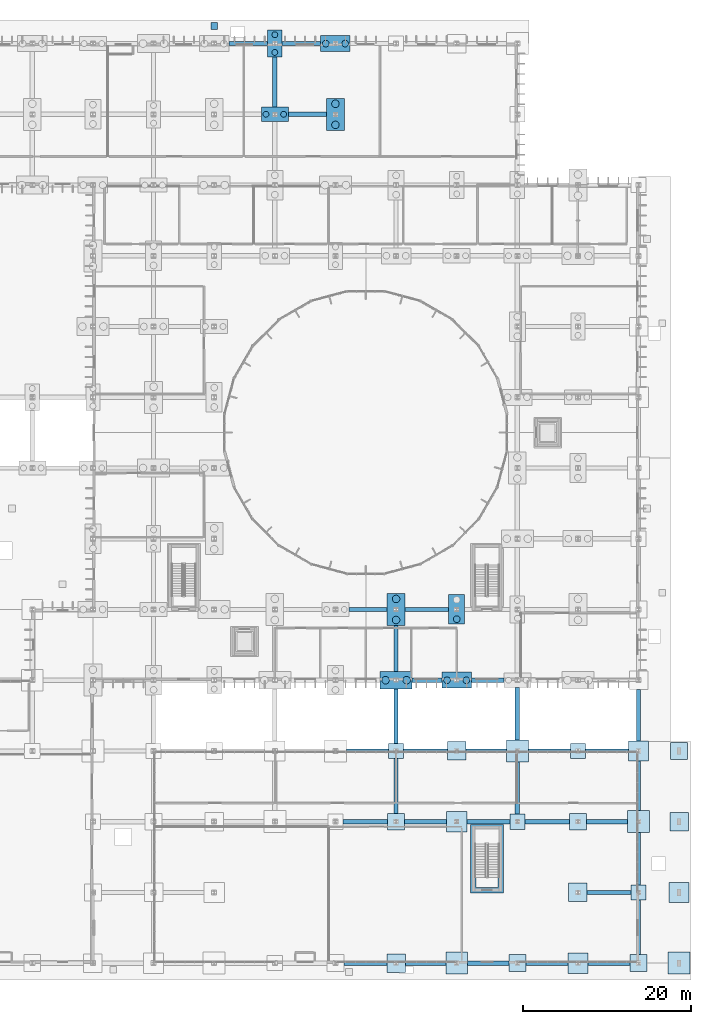
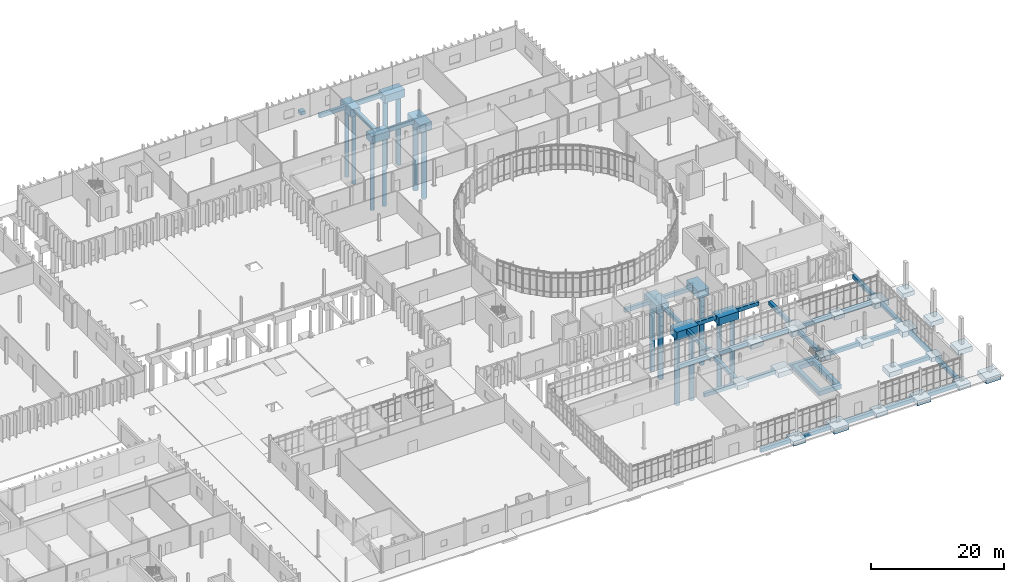
# One storey, part 5 of 118: 64 footings, 15 piles.
"""IFC4 building model written with IfcOpenShell, lengths in metres."""

from ifc_helpers import new_model, si_unit, direction, frame, origin, origin_2d, place, context, subcontext, project, spatial, polyline, rectangle, circle, outline, extrude, material, layer, layer_set, material_profile, profile_set, type_object, element, save


model = new_model("IFC4")

# Units and contexts
model_context = context("Model", 3, precision=1e-05, world=origin(), true_north=direction((0.0, 1.0)))
body_context = subcontext(model_context, "Body", "Model", "MODEL_VIEW")
ifc_project = project(units=[si_unit("LENGTHUNIT", "METRE"), si_unit("AREAUNIT", "SQUARE_METRE"), si_unit("VOLUMEUNIT", "CUBIC_METRE"), si_unit("PLANEANGLEUNIT", "RADIAN"), si_unit("MASSUNIT", "GRAM", prefix="KILO")], contexts=[model_context])

# Site, building, storey
site_placement = place(None, origin())
site = spatial("IfcSite", under=ifc_project, at=site_placement, CompositionType="ELEMENT")
building_placement = place(site_placement, origin())
building = spatial("IfcBuilding", under=site, at=building_placement, Name="Qelthora Terrace Specialist Clinic", CompositionType="ELEMENT")
storey_placement = place(building_placement, origin())
storey = spatial("IfcBuildingStorey", under=building, at=storey_placement, Name="L00", CompositionType="ELEMENT", Elevation=0.0)

# Footings
ifc_material = material(Name="Concrete C35/45", Category="concrete")
ifc_layer_1 = layer(ifc_material, 1.35009765625)
ifc_layer_set_1 = layer_set([ifc_layer_1], Name="Concrete C35/45")
footing_type_1 = type_object("IfcFootingType", Name="PC-1700X3200X1350", PredefinedType="PILE_CAP", material=ifc_layer_set_1)
footing_1_placement = place(storey_placement, frame((115.199951171875, 109.199951171875, -1.610107421875), z_axis=(0.0, 0.0, 1.0), x_axis=(1.0, 0.0, 0.0)))
element("IfcFooting", 1, at=footing_1_placement, inside=storey, type_object=footing_type_1, Name="Foundation FTG-L00-197", PredefinedType="PILE_CAP", context=body_context, shape_type="SweptSolid", body=[
    extrude(rectangle(XDim=1.699951171875, YDim=3.199951171875, at=origin_2d()), origin(), (0.0, 0.0, 1.0), 1.35009765625),
])
ifc_layer_2 = layer(ifc_material, 1.39990234375)
ifc_layer_set_2 = layer_set([ifc_layer_2], Name="Concrete C35/45")
footing_type_2 = type_object("IfcFootingType", Name="PC-1900X3500X1400", PredefinedType="PILE_CAP", material=ifc_layer_set_2)
footing_2_placement = place(storey_placement, frame((136.800048828125, 42.0, -1.659912109375), z_axis=(0.0, 0.0, 1.0), x_axis=(1.0, 0.0, 0.0)))
element("IfcFooting", 2, at=footing_2_placement, inside=storey, type_object=footing_type_2, Name="Foundation FTG-L00-219", PredefinedType="PILE_CAP", context=body_context, shape_type="SweptSolid", body=[
    extrude(rectangle(XDim=1.89990234375, YDim=3.5, at=origin_2d()), origin(), (0.0, 0.0, 1.0), 1.39990234375),
])
ifc_layer_3 = layer(ifc_material, 1.5)
ifc_layer_set_3 = layer_set([ifc_layer_3], Name="Concrete C35/45")
footing_type_3 = type_object("IfcFootingType", Name="PC-2100X3800X1500", PredefinedType="PILE_CAP", material=ifc_layer_set_3)
for number, where, z_axis, x_axis, name in (
    (3, (122.39990234375, 100.800048828125, -1.760009765625), (0.0, 0.0, 1.0), (1.0, 0.0, 0.0), "Foundation FTG-L00-205"),
    (4, (129.60009765625, 42.0, -1.760009765625), (0.0, 0.0, 1.0), (1.0, 0.0, 0.0), "Foundation FTG-L00-211"),
):
    element("IfcFooting", number, at=place(storey_placement, frame(where, z_axis=z_axis, x_axis=x_axis)), inside=storey, type_object=footing_type_3, Name=name, PredefinedType="PILE_CAP", context=body_context, shape_type="SweptSolid", body=[
        extrude(rectangle(XDim=2.10009765625, YDim=3.800048828125, at=origin_2d()), origin(), (0.0, 0.0, 1.0), 1.5),
    ])
ifc_layer_4 = layer(ifc_material, 1.35009765625)
ifc_layer_set_4 = layer_set([ifc_layer_4], Name="Concrete C35/45")
footing_type_4 = type_object("IfcFootingType", Name="PC-3200X1700X1350", PredefinedType="PILE_CAP", material=ifc_layer_set_4)
footing_3_placement = place(storey_placement, frame((115.199951171875, 100.800048828125, -1.610107421875), z_axis=(0.0, 0.0, 1.0), x_axis=(1.0, 0.0, 0.0)))
element("IfcFooting", 5, at=footing_3_placement, inside=storey, type_object=footing_type_4, Name="Foundation FTG-L00-196", PredefinedType="PILE_CAP", context=body_context, shape_type="SweptSolid", body=[
    extrude(rectangle(XDim=3.199951171875, YDim=1.699951171875, at=origin_2d()), origin(), (0.0, 0.0, 1.0), 1.35009765625),
])
ifc_layer_5 = layer(ifc_material, 1.39990234375)
ifc_layer_set_5 = layer_set([ifc_layer_5], Name="Concrete C35/45")
footing_type_5 = type_object("IfcFootingType", Name="PC-3500X1900X1400", PredefinedType="PILE_CAP", material=ifc_layer_set_5)
for number, where, z_axis, x_axis, name in (
    (6, (122.39990234375, 109.199951171875, -1.659912109375), (0.0, 0.0, 1.0), (1.0, 0.0, 0.0), "Foundation FTG-L00-206"),
    (7, (136.800048828125, 33.60009765625, -1.659912109375), (0.0, 0.0, 1.0), (1.0, 0.0, 0.0), "Foundation FTG-L00-218"),
):
    element("IfcFooting", number, at=place(storey_placement, frame(where, z_axis=z_axis, x_axis=x_axis)), inside=storey, type_object=footing_type_5, Name=name, PredefinedType="PILE_CAP", context=body_context, shape_type="SweptSolid", body=[
        extrude(rectangle(XDim=3.5, YDim=1.89990234375, at=origin_2d()), origin(), (0.0, 0.0, 1.0), 1.39990234375),
    ])
ifc_layer_6 = layer(ifc_material, 1.5)
ifc_layer_set_6 = layer_set([ifc_layer_6], Name="Concrete C35/45")
footing_type_6 = type_object("IfcFootingType", Name="PC-3800X2100X1500", PredefinedType="PILE_CAP", material=ifc_layer_set_6)
footing_4_placement = place(storey_placement, frame((129.60009765625, 33.60009765625, -1.760009765625), z_axis=(0.0, 0.0, 1.0), x_axis=(1.0, 0.0, 0.0)))
element("IfcFooting", 8, at=footing_4_placement, inside=storey, type_object=footing_type_6, Name="Foundation FTG-L00-210", PredefinedType="PILE_CAP", context=body_context, shape_type="SweptSolid", body=[
    extrude(rectangle(XDim=3.800048828125, YDim=2.10009765625, at=origin_2d()), origin(), (0.0, 0.0, 1.0), 1.5),
])
ifc_layer_7 = layer(ifc_material, 0.75)
ifc_layer_set_7 = layer_set([ifc_layer_7], Name="Concrete C35/45")
footing_type_7 = type_object("IfcFootingType", Name="PF-1800X1800X750", PredefinedType="PAD_FOOTING", material=ifc_layer_set_7)
for number, where, z_axis, x_axis, name in (
    (9, (129.60009765625, 25.199951171875, -1.010009765625), (0.0, 0.0, 1.0), (1.0, 0.0, 0.0), "Foundation FTG-L00-209"),
    (10, (144.0, 16.800048828125, -1.010009765625), (0.0, 0.0, 1.0), (1.0, 0.0, 0.0), "Foundation FTG-L00-224"),
    (11, (151.199951171875, 25.199951171875, -1.010009765625), (0.0, 0.0, 1.0), (1.0, 0.0, 0.0), "Foundation FTG-L00-239"),
    (12, (158.39990234375, 8.39990234375, -1.010009765625), (0.0, 0.0, 1.0), (1.0, 0.0, 0.0), "Foundation FTG-L00-249"),
):
    element("IfcFooting", number, at=place(storey_placement, frame(where, z_axis=z_axis, x_axis=x_axis)), inside=storey, type_object=footing_type_7, Name=name, PredefinedType="PAD_FOOTING", context=body_context, shape_type="SweptSolid", body=[
        extrude(rectangle(XDim=1.800048828125, YDim=1.800048828125, at=origin_2d()), origin(), (0.0, 0.0, 1.0), 0.75),
    ])
ifc_layer_8 = layer(ifc_material, 0.800048828125)
ifc_layer_set_8 = layer_set([ifc_layer_8], Name="Concrete C35/45")
footing_type_8 = type_object("IfcFootingType", Name="PF-2000X2000X800", PredefinedType="PAD_FOOTING", material=ifc_layer_set_8)
for number, where, z_axis, x_axis, name in (
    (13, (129.60009765625, 16.800048828125, -1.06005859375), (0.0, 0.0, 1.0), (1.0, 0.0, 0.0), "Foundation FTG-L00-208"),
    (14, (144.0, 0.0, -1.06005859375), (0.0, 0.0, 1.0), (1.0, 0.0, 0.0), "Foundation FTG-L00-223"),
    (15, (151.199951171875, 16.800048828125, -1.06005859375), (0.0, 0.0, 1.0), (1.0, 0.0, 0.0), "Foundation FTG-L00-238"),
    (16, (158.39990234375, 0.0, -1.06005859375), (0.0, 0.0, 1.0), (1.0, 0.0, 0.0), "Foundation FTG-L00-248"),
    (17, (163.199951171875, 25.199951171875, -1.06005859375), (0.0, 0.0, 1.0), (1.0, 0.0, 0.0), "Foundation FTG-L00-263"),
):
    element("IfcFooting", number, at=place(storey_placement, frame(where, z_axis=z_axis, x_axis=x_axis)), inside=storey, type_object=footing_type_8, Name=name, PredefinedType="PAD_FOOTING", context=body_context, shape_type="SweptSolid", body=[
        extrude(rectangle(XDim=2.0, YDim=2.0, at=origin_2d()), origin(), (0.0, 0.0, 1.0), 0.800048828125),
    ])
ifc_layer_9 = layer(ifc_material, 0.85009765625)
ifc_layer_set_9 = layer_set([ifc_layer_9], Name="Concrete C35/45")
footing_type_9 = type_object("IfcFootingType", Name="PF-2200X2200X850", PredefinedType="PAD_FOOTING", material=ifc_layer_set_9)
for number, where, z_axis, x_axis, name in (
    (18, (129.60009765625, 0.0, -1.110107421875), (0.0, 0.0, 1.0), (1.0, 0.0, 0.0), "Foundation FTG-L00-207"),
    (19, (136.800048828125, 25.199951171875, -1.110107421875), (0.0, 0.0, 1.0), (1.0, 0.0, 0.0), "Foundation FTG-L00-217"),
    (20, (151.199951171875, 8.39990234375, -1.110107421875), (0.0, 0.0, 1.0), (1.0, 0.0, 0.0), "Foundation FTG-L00-237"),
    (21, (163.199951171875, 16.800048828125, -1.110107421875), (0.0, 0.0, 1.0), (1.0, 0.0, 0.0), "Foundation FTG-L00-262"),
):
    element("IfcFooting", number, at=place(storey_placement, frame(where, z_axis=z_axis, x_axis=x_axis)), inside=storey, type_object=footing_type_9, Name=name, PredefinedType="PAD_FOOTING", context=body_context, shape_type="SweptSolid", body=[
        extrude(rectangle(XDim=2.199951171875, YDim=2.199951171875, at=origin_2d()), origin(), (0.0, 0.0, 1.0), 0.85009765625),
    ])
ifc_layer_10 = layer(ifc_material, 0.89990234375)
ifc_layer_set_10 = layer_set([ifc_layer_10], Name="Concrete C35/45")
footing_type_10 = type_object("IfcFootingType", Name="PF-2400X2400X900", PredefinedType="PAD_FOOTING", material=ifc_layer_set_10)
for number, where, z_axis, x_axis, name in (
    (22, (136.800048828125, 16.800048828125, -1.159912109375), (0.0, 0.0, 1.0), (1.0, 0.0, 0.0), "Foundation FTG-L00-216"),
    (23, (151.199951171875, 0.0, -1.159912109375), (0.0, 0.0, 1.0), (1.0, 0.0, 0.0), "Foundation FTG-L00-236"),
    (24, (158.39990234375, 25.199951171875, -1.159912109375), (0.0, 0.0, 1.0), (1.0, 0.0, 0.0), "Foundation FTG-L00-251"),
    (25, (163.199951171875, 8.39990234375, -1.159912109375), (0.0, 0.0, 1.0), (1.0, 0.0, 0.0), "Foundation FTG-L00-261"),
):
    element("IfcFooting", number, at=place(storey_placement, frame(where, z_axis=z_axis, x_axis=x_axis)), inside=storey, type_object=footing_type_10, Name=name, PredefinedType="PAD_FOOTING", context=body_context, shape_type="SweptSolid", body=[
        extrude(rectangle(XDim=2.39990234375, YDim=2.39990234375, at=origin_2d()), origin(), (0.0, 0.0, 1.0), 0.89990234375),
    ])
ifc_layer_11 = layer(ifc_material, 0.949951171875)
ifc_layer_set_11 = layer_set([ifc_layer_11], Name="Concrete C35/45")
footing_type_11 = type_object("IfcFootingType", Name="PF-2600X2600X950", PredefinedType="PAD_FOOTING", material=ifc_layer_set_11)
for number, where, z_axis, x_axis, name in (
    (26, (136.800048828125, 0.0, -1.2099609375), (0.0, 0.0, 1.0), (1.0, 0.0, 0.0), "Foundation FTG-L00-215"),
    (27, (144.0, 25.199951171875, -1.2099609375), (0.0, 0.0, 1.0), (1.0, 0.0, 0.0), "Foundation FTG-L00-225"),
    (28, (158.39990234375, 16.800048828125, -1.2099609375), (0.0, 0.0, 1.0), (1.0, 0.0, 0.0), "Foundation FTG-L00-250"),
    (29, (163.199951171875, 0.0, -1.2099609375), (0.0, 0.0, 1.0), (1.0, 0.0, 0.0), "Foundation FTG-L00-260"),
):
    element("IfcFooting", number, at=place(storey_placement, frame(where, z_axis=z_axis, x_axis=x_axis)), inside=storey, type_object=footing_type_11, Name=name, PredefinedType="PAD_FOOTING", context=body_context, shape_type="SweptSolid", body=[
        extrude(rectangle(XDim=2.60009765625, YDim=2.60009765625, at=origin_2d()), origin(), (0.0, 0.0, 1.0), 0.949951171875),
    ])
ifc_layer_12 = layer(ifc_material, 0.64990234375)
ifc_layer_set_12 = layer_set([ifc_layer_12], Name="Concrete C35/45")
footing_type_12 = type_object("IfcFootingType", Name="PF-800X800X650", PredefinedType="PAD_FOOTING", material=ifc_layer_set_12)
footing_5_placement = place(storey_placement, frame((108.0, 111.300048828125, -0.89990234375), z_axis=(0.0, 0.0, 1.0), x_axis=(1.0, 0.0, 0.0)))
element("IfcFooting", 30, at=footing_5_placement, inside=storey, type_object=footing_type_12, Name="Under-slab apron pad footing FTG-PLZ-08", PredefinedType="PAD_FOOTING", context=body_context, shape_type="SweptSolid", body=[
    extrude(rectangle(XDim=0.800048828125, YDim=0.800048828125, at=origin_2d()), origin(), (0.0, 0.0, 1.0), 0.64990234375),
])

# Piles
ifc_material_profile_1 = material_profile(ifc_material, circle(Radius=0.35009765625, at=origin_2d()), Name="PILE700")
ifc_profile_set_1 = profile_set([ifc_material_profile_1], Name="Concrete C35/45")
pile_type_1 = type_object("IfcPileType", Name="PILE-D700-C35", PredefinedType="BORED", material=ifc_profile_set_1)
for number, where, z_axis, x_axis, name in (
    (31, (114.14990234375, 100.800048828125, -1.510009765625), (0.0, 0.0, -1.0), (1.0, 0.0, 0.0), "Bored pile PILE-L00-196-1"),
    (32, (116.25, 100.800048828125, -1.510009765625), (0.0, 0.0, -1.0), (1.0, 0.0, 0.0), "Bored pile PILE-L00-196-2"),
    (33, (115.199951171875, 108.14990234375, -1.510009765625), (0.0, 0.0, -1.0), (1.0, 0.0, 0.0), "Bored pile PILE-L00-197-1"),
    (34, (115.199951171875, 110.25, -1.510009765625), (0.0, 0.0, -1.0), (1.0, 0.0, 0.0), "Bored pile PILE-L00-197-2"),
):
    element("IfcPile", number, at=place(storey_placement, frame(where, z_axis=z_axis, x_axis=x_axis)), inside=storey, type_object=pile_type_1, Name=name, PredefinedType="BORED", context=body_context, shape_type="SweptSolid", body=[
        extrude(circle(Radius=0.35009765625, at=origin_2d()), origin(), (0.0, 0.0, 1.0), 12.7900390625),
    ])
ifc_material_profile_2 = material_profile(ifc_material, circle(Radius=0.39990234375, at=origin_2d()), Name="PILE800")
ifc_profile_set_2 = profile_set([ifc_material_profile_2], Name="Concrete C35/45")
pile_type_2 = type_object("IfcPileType", Name="PILE-D800-C35", PredefinedType="BORED", material=ifc_profile_set_2)
for number, where, z_axis, x_axis, name in (
    (35, (121.25, 109.199951171875, -1.56005859375), (0.0, 0.0, -1.0), (1.0, 0.0, 0.0), "Bored pile PILE-L00-206-1"),
    (36, (123.550048828125, 109.199951171875, -1.56005859375), (0.0, 0.0, -1.0), (1.0, 0.0, 0.0), "Bored pile PILE-L00-206-2"),
    (37, (135.64990234375, 33.60009765625, -1.56005859375), (0.0, 0.0, -1.0), (1.0, 0.0, 0.0), "Bored pile PILE-L00-218-1"),
    (38, (137.949951171875, 33.60009765625, -1.56005859375), (0.0, 0.0, -1.0), (1.0, 0.0, 0.0), "Bored pile PILE-L00-218-2"),
    (39, (136.800048828125, 40.85009765625, -1.56005859375), (0.0, 0.0, -1.0), (1.0, 0.0, 0.0), "Bored pile PILE-L00-219-1"),
):
    element("IfcPile", number, at=place(storey_placement, frame(where, z_axis=z_axis, x_axis=x_axis)), inside=storey, type_object=pile_type_2, Name=name, PredefinedType="BORED", context=body_context, shape_type="SweptSolid", body=[
        extrude(circle(Radius=0.39990234375, at=origin_2d()), origin(), (0.0, 0.0, 1.0), 12.739990234375),
    ])
ifc_material_profile_3 = material_profile(ifc_material, circle(Radius=0.449951171875, at=origin_2d()), Name="PILE900")
ifc_profile_set_3 = profile_set([ifc_material_profile_3], Name="Concrete C35/45")
pile_type_3 = type_object("IfcPileType", Name="PILE-D900-C35", PredefinedType="BORED", material=ifc_profile_set_3)
for number, where, z_axis, x_axis, name in (
    (40, (122.39990234375, 99.550048828125, -1.659912109375), (0.0, 0.0, -1.0), (1.0, 0.0, 0.0), "Bored pile PILE-L00-205-1"),
    (41, (122.39990234375, 102.050048828125, -1.659912109375), (0.0, 0.0, -1.0), (1.0, 0.0, 0.0), "Bored pile PILE-L00-205-2"),
    (42, (128.35009765625, 33.60009765625, -1.659912109375), (0.0, 0.0, -1.0), (1.0, 0.0, 0.0), "Bored pile PILE-L00-210-1"),
    (43, (130.85009765625, 33.60009765625, -1.659912109375), (0.0, 0.0, -1.0), (1.0, 0.0, 0.0), "Bored pile PILE-L00-210-2"),
    (44, (129.60009765625, 40.75, -1.659912109375), (0.0, 0.0, -1.0), (1.0, 0.0, 0.0), "Bored pile PILE-L00-211-1"),
    (45, (129.60009765625, 43.25, -1.659912109375), (0.0, 0.0, -1.0), (1.0, 0.0, 0.0), "Bored pile PILE-L00-211-2"),
):
    element("IfcPile", number, at=place(storey_placement, frame(where, z_axis=z_axis, x_axis=x_axis)), inside=storey, type_object=pile_type_3, Name=name, PredefinedType="BORED", context=body_context, shape_type="SweptSolid", body=[
        extrude(circle(Radius=0.449951171875, at=origin_2d()), origin(), (0.0, 0.0, 1.0), 12.639892578125),
    ])

# Footings
ifc_layer_13 = layer(ifc_material, 0.699951171875)
ifc_layer_set_13 = layer_set([ifc_layer_13], Name="Concrete C35/45")
footing_type_13 = type_object("IfcFootingType", Name="SF-500X700-C35", PredefinedType="STRIP_FOOTING", material=ifc_layer_set_13)
footing_6_placement = place(storey_placement, frame((0.0, 0.0, -0.9599609375)))
element("IfcFooting", 46, at=footing_6_placement, inside=storey, type_object=footing_type_13, Name="Foundation tie strip SF-X-237", PredefinedType="STRIP_FOOTING", context=body_context, shape_type="SweptSolid", body=[
    extrude(outline(polyline([(109.75, 108.949951171875), (114.35009765625, 108.949951171875), (114.35009765625, 109.449951171875), (109.75, 109.449951171875), (109.75, 108.949951171875)])), origin(), (0.0, 0.0, 1.0), 0.699951171875),
])
footing_7_placement = place(storey_placement, frame((0.0, 0.0, -0.9599609375)))
element("IfcFooting", 47, at=footing_7_placement, inside=storey, type_object=footing_type_13, Name="Foundation tie strip SF-X-250", PredefinedType="STRIP_FOOTING", context=body_context, shape_type="SweptSolid", body=[
    extrude(outline(polyline([(116.800048828125, 100.550048828125), (121.35009765625, 100.550048828125), (121.35009765625, 101.050048828125), (116.800048828125, 101.050048828125), (116.800048828125, 100.550048828125)])), origin(), (0.0, 0.0, 1.0), 0.699951171875),
])
footing_8_placement = place(storey_placement, frame((0.0, 0.0, -0.9599609375)))
element("IfcFooting", 48, at=footing_8_placement, inside=storey, type_object=footing_type_13, Name="Foundation tie strip SF-Y-251", PredefinedType="STRIP_FOOTING", context=body_context, shape_type="SweptSolid", body=[
    extrude(outline(polyline([(114.949951171875, 101.64990234375), (115.449951171875, 101.64990234375), (115.449951171875, 107.60009765625), (114.949951171875, 107.60009765625), (114.949951171875, 101.64990234375)])), origin(), (0.0, 0.0, 1.0), 0.699951171875),
])
footing_9_placement = place(storey_placement, frame((0.0, 0.0, -0.9599609375)))
element("IfcFooting", 49, at=footing_9_placement, inside=storey, type_object=footing_type_13, Name="Foundation tie strip SF-X-252", PredefinedType="STRIP_FOOTING", context=body_context, shape_type="SweptSolid", body=[
    extrude(outline(polyline([(116.050048828125, 108.949951171875), (120.64990234375, 108.949951171875), (120.64990234375, 109.449951171875), (116.050048828125, 109.449951171875), (116.050048828125, 108.949951171875)])), origin(), (0.0, 0.0, 1.0), 0.699951171875),
])
footing_10_placement = place(storey_placement, frame((0.0, 0.0, -0.9599609375)))
element("IfcFooting", 50, at=footing_10_placement, inside=storey, type_object=footing_type_13, Name="Foundation tie strip SF-X-253", PredefinedType="STRIP_FOOTING", context=body_context, shape_type="SweptSolid", body=[
    extrude(outline(polyline([(123.39990234375, -0.25), (128.5, -0.25), (128.5, 0.25), (123.39990234375, 0.25), (123.39990234375, -0.25)])), origin(), (0.0, 0.0, 1.0), 0.699951171875),
])
footing_11_placement = place(storey_placement, frame((0.0, 0.0, -0.9599609375)))
element("IfcFooting", 51, at=footing_11_placement, inside=storey, type_object=footing_type_13, Name="Foundation tie strip SF-X-254", PredefinedType="STRIP_FOOTING", context=body_context, shape_type="SweptSolid", body=[
    extrude(outline(polyline([(123.300048828125, 16.550048828125), (128.60009765625, 16.550048828125), (128.60009765625, 17.050048828125), (123.300048828125, 17.050048828125), (123.300048828125, 16.550048828125)])), origin(), (0.0, 0.0, 1.0), 0.699951171875),
])
footing_12_placement = place(storey_placement, frame((0.0, 0.0, -0.9599609375)))
element("IfcFooting", 52, at=footing_12_placement, inside=storey, type_object=footing_type_13, Name="Foundation tie strip SF-X-255", PredefinedType="STRIP_FOOTING", context=body_context, shape_type="SweptSolid", body=[
    extrude(outline(polyline([(123.699951171875, 24.949951171875), (128.699951171875, 24.949951171875), (128.699951171875, 25.449951171875), (123.699951171875, 25.449951171875), (123.699951171875, 24.949951171875)])), origin(), (0.0, 0.0, 1.0), 0.699951171875),
])
footing_13_placement = place(storey_placement, frame((0.0, 0.0, -0.9599609375)))
element("IfcFooting", 53, at=footing_13_placement, inside=storey, type_object=footing_type_13, Name="Foundation tie strip SF-X-257", PredefinedType="STRIP_FOOTING", context=body_context, shape_type="SweptSolid", body=[
    extrude(outline(polyline([(124.0, 41.75), (128.550048828125, 41.75), (128.550048828125, 42.25), (124.0, 42.25), (124.0, 41.75)])), origin(), (0.0, 0.0, 1.0), 0.699951171875),
])
footing_14_placement = place(storey_placement, frame((0.0, 0.0, -0.9599609375)))
element("IfcFooting", 54, at=footing_14_placement, inside=storey, type_object=footing_type_13, Name="Foundation tie strip SF-X-261", PredefinedType="STRIP_FOOTING", context=body_context, shape_type="SweptSolid", body=[
    extrude(outline(polyline([(130.699951171875, -0.25), (135.5, -0.25), (135.5, 0.25), (130.699951171875, 0.25), (130.699951171875, -0.25)])), origin(), (0.0, 0.0, 1.0), 0.699951171875),
])
footing_15_placement = place(storey_placement, frame((0.0, 0.0, -0.9599609375)))
element("IfcFooting", 55, at=footing_15_placement, inside=storey, type_object=footing_type_13, Name="Foundation tie strip SF-X-262", PredefinedType="STRIP_FOOTING", context=body_context, shape_type="SweptSolid", body=[
    extrude(outline(polyline([(130.60009765625, 16.550048828125), (135.60009765625, 16.550048828125), (135.60009765625, 17.050048828125), (130.60009765625, 17.050048828125), (130.60009765625, 16.550048828125)])), origin(), (0.0, 0.0, 1.0), 0.699951171875),
])
footing_16_placement = place(storey_placement, frame((0.0, 0.0, -0.9599609375)))
element("IfcFooting", 56, at=footing_16_placement, inside=storey, type_object=footing_type_13, Name="Foundation tie strip SF-Y-263", PredefinedType="STRIP_FOOTING", context=body_context, shape_type="SweptSolid", body=[
    extrude(outline(polyline([(129.35009765625, 17.800048828125), (129.85009765625, 17.800048828125), (129.85009765625, 24.300048828125), (129.35009765625, 24.300048828125), (129.35009765625, 17.800048828125)])), origin(), (0.0, 0.0, 1.0), 0.699951171875),
])
footing_17_placement = place(storey_placement, frame((0.0, 0.0, -0.9599609375)))
element("IfcFooting", 57, at=footing_17_placement, inside=storey, type_object=footing_type_13, Name="Foundation tie strip SF-X-264", PredefinedType="STRIP_FOOTING", context=body_context, shape_type="SweptSolid", body=[
    extrude(outline(polyline([(130.5, 24.949951171875), (135.699951171875, 24.949951171875), (135.699951171875, 25.449951171875), (130.5, 25.449951171875), (130.5, 24.949951171875)])), origin(), (0.0, 0.0, 1.0), 0.699951171875),
])
footing_18_placement = place(storey_placement, frame((0.0, 0.0, -0.9599609375)))
element("IfcFooting", 58, at=footing_18_placement, inside=storey, type_object=footing_type_13, Name="Foundation tie strip SF-Y-265", PredefinedType="STRIP_FOOTING", context=body_context, shape_type="SweptSolid", body=[
    extrude(outline(polyline([(129.35009765625, 26.10009765625), (129.85009765625, 26.10009765625), (129.85009765625, 32.550048828125), (129.35009765625, 32.550048828125), (129.35009765625, 26.10009765625)])), origin(), (0.0, 0.0, 1.0), 0.699951171875),
])
footing_19_placement = place(storey_placement, frame((0.0, 0.0, -0.9599609375)))
element("IfcFooting", 59, at=footing_19_placement, inside=storey, type_object=footing_type_13, Name="Foundation tie strip SF-X-266", PredefinedType="STRIP_FOOTING", context=body_context, shape_type="SweptSolid", body=[
    extrude(outline(polyline([(131.5, 33.35009765625), (135.050048828125, 33.35009765625), (135.050048828125, 33.85009765625), (131.5, 33.85009765625), (131.5, 33.35009765625)])), origin(), (0.0, 0.0, 1.0), 0.699951171875),
])
footing_20_placement = place(storey_placement, frame((0.0, 0.0, -0.9599609375)))
element("IfcFooting", 60, at=footing_20_placement, inside=storey, type_object=footing_type_13, Name="Foundation tie strip SF-Y-267", PredefinedType="STRIP_FOOTING", context=body_context, shape_type="SweptSolid", body=[
    extrude(outline(polyline([(129.35009765625, 34.64990234375), (129.85009765625, 34.64990234375), (129.85009765625, 40.10009765625), (129.35009765625, 40.10009765625), (129.35009765625, 34.64990234375)])), origin(), (0.0, 0.0, 1.0), 0.699951171875),
])
footing_21_placement = place(storey_placement, frame((0.0, 0.0, -0.9599609375)))
element("IfcFooting", 61, at=footing_21_placement, inside=storey, type_object=footing_type_13, Name="Foundation tie strip SF-X-268", PredefinedType="STRIP_FOOTING", context=body_context, shape_type="SweptSolid", body=[
    extrude(outline(polyline([(130.64990234375, 41.75), (135.85009765625, 41.75), (135.85009765625, 42.25), (130.64990234375, 42.25), (130.64990234375, 41.75)])), origin(), (0.0, 0.0, 1.0), 0.699951171875),
])
footing_22_placement = place(storey_placement, frame((0.0, 0.0, -0.9599609375)))
element("IfcFooting", 62, at=footing_22_placement, inside=storey, type_object=footing_type_13, Name="Foundation tie strip SF-X-273", PredefinedType="STRIP_FOOTING", context=body_context, shape_type="SweptSolid", body=[
    extrude(outline(polyline([(138.10009765625, -0.25), (143.0, -0.25), (143.0, 0.25), (138.10009765625, 0.25), (138.10009765625, -0.25)])), origin(), (0.0, 0.0, 1.0), 0.699951171875),
])
footing_23_placement = place(storey_placement, frame((0.0, 0.0, -0.9599609375)))
element("IfcFooting", 63, at=footing_23_placement, inside=storey, type_object=footing_type_13, Name="Foundation tie strip SF-X-274", PredefinedType="STRIP_FOOTING", context=body_context, shape_type="SweptSolid", body=[
    extrude(outline(polyline([(138.0, 16.550048828125), (143.10009765625, 16.550048828125), (143.10009765625, 17.050048828125), (138.0, 17.050048828125), (138.0, 16.550048828125)])), origin(), (0.0, 0.0, 1.0), 0.699951171875),
])
footing_24_placement = place(storey_placement, frame((0.0, 0.0, -0.9599609375)))
element("IfcFooting", 64, at=footing_24_placement, inside=storey, type_object=footing_type_13, Name="Foundation tie strip SF-X-275", PredefinedType="STRIP_FOOTING", context=body_context, shape_type="SweptSolid", body=[
    extrude(outline(polyline([(137.89990234375, 24.949951171875), (142.699951171875, 24.949951171875), (142.699951171875, 25.449951171875), (137.89990234375, 25.449951171875), (137.89990234375, 24.949951171875)])), origin(), (0.0, 0.0, 1.0), 0.699951171875),
])
footing_25_placement = place(storey_placement, frame((0.0, 0.0, -0.9599609375)))
element("IfcFooting", 65, at=footing_25_placement, inside=storey, type_object=footing_type_13, Name="Foundation tie strip SF-X-276", PredefinedType="STRIP_FOOTING", context=body_context, shape_type="SweptSolid", body=[
    extrude(outline(polyline([(138.550048828125, 33.35009765625), (142.39990234375, 33.35009765625), (142.39990234375, 33.85009765625), (138.550048828125, 33.85009765625), (138.550048828125, 33.35009765625)])), origin(), (0.0, 0.0, 1.0), 0.699951171875),
])
footing_26_placement = place(storey_placement, frame((0.0, 0.0, -0.9599609375)))
element("IfcFooting", 66, at=footing_26_placement, inside=storey, type_object=footing_type_13, Name="Foundation tie strip SF-X-281", PredefinedType="STRIP_FOOTING", context=body_context, shape_type="SweptSolid", body=[
    extrude(outline(polyline([(145.0, -0.25), (150.0, -0.25), (150.0, 0.25), (145.0, 0.25), (145.0, -0.25)])), origin(), (0.0, 0.0, 1.0), 0.699951171875),
])
footing_27_placement = place(storey_placement, frame((0.0, 0.0, -0.9599609375)))
element("IfcFooting", 67, at=footing_27_placement, inside=storey, type_object=footing_type_13, Name="Foundation tie strip SF-X-282", PredefinedType="STRIP_FOOTING", context=body_context, shape_type="SweptSolid", body=[
    extrude(outline(polyline([(144.89990234375, 16.550048828125), (150.199951171875, 16.550048828125), (150.199951171875, 17.050048828125), (144.89990234375, 17.050048828125), (144.89990234375, 16.550048828125)])), origin(), (0.0, 0.0, 1.0), 0.699951171875),
])
footing_28_placement = place(storey_placement, frame((0.0, 0.0, -0.9599609375)))
element("IfcFooting", 68, at=footing_28_placement, inside=storey, type_object=footing_type_13, Name="Foundation tie strip SF-Y-283", PredefinedType="STRIP_FOOTING", context=body_context, shape_type="SweptSolid", body=[
    extrude(outline(polyline([(143.75, 17.699951171875), (144.25, 17.699951171875), (144.25, 23.89990234375), (143.75, 23.89990234375), (143.75, 17.699951171875)])), origin(), (0.0, 0.0, 1.0), 0.699951171875),
])
footing_29_placement = place(storey_placement, frame((0.0, 0.0, -0.9599609375)))
element("IfcFooting", 69, at=footing_29_placement, inside=storey, type_object=footing_type_13, Name="Foundation tie strip SF-X-284", PredefinedType="STRIP_FOOTING", context=body_context, shape_type="SweptSolid", body=[
    extrude(outline(polyline([(145.300048828125, 24.949951171875), (150.300048828125, 24.949951171875), (150.300048828125, 25.449951171875), (145.300048828125, 25.449951171875), (145.300048828125, 24.949951171875)])), origin(), (0.0, 0.0, 1.0), 0.699951171875),
])
footing_30_placement = place(storey_placement, frame((0.0, 0.0, -0.9599609375)))
element("IfcFooting", 70, at=footing_30_placement, inside=storey, type_object=footing_type_13, Name="Foundation tie strip SF-Y-285", PredefinedType="STRIP_FOOTING", context=body_context, shape_type="SweptSolid", body=[
    extrude(outline(polyline([(143.75, 26.5), (144.25, 26.5), (144.25, 32.75), (143.75, 32.75), (143.75, 26.5)])), origin(), (0.0, 0.0, 1.0), 0.699951171875),
])
footing_31_placement = place(storey_placement, frame((0.0, 0.0, -0.9599609375)))
element("IfcFooting", 71, at=footing_31_placement, inside=storey, type_object=footing_type_13, Name="Foundation tie strip SF-X-303", PredefinedType="STRIP_FOOTING", context=body_context, shape_type="SweptSolid", body=[
    extrude(outline(polyline([(152.39990234375, -0.25), (157.39990234375, -0.25), (157.39990234375, 0.25), (152.39990234375, 0.25), (152.39990234375, -0.25)])), origin(), (0.0, 0.0, 1.0), 0.699951171875),
])
footing_32_placement = place(storey_placement, frame((0.0, 0.0, -0.9599609375)))
element("IfcFooting", 72, at=footing_32_placement, inside=storey, type_object=footing_type_13, Name="Foundation tie strip SF-X-304", PredefinedType="STRIP_FOOTING", context=body_context, shape_type="SweptSolid", body=[
    extrude(outline(polyline([(152.300048828125, 8.14990234375), (157.5, 8.14990234375), (157.5, 8.64990234375), (152.300048828125, 8.64990234375), (152.300048828125, 8.14990234375)])), origin(), (0.0, 0.0, 1.0), 0.699951171875),
])
footing_33_placement = place(storey_placement, frame((0.0, 0.0, -0.9599609375)))
element("IfcFooting", 73, at=footing_33_placement, inside=storey, type_object=footing_type_13, Name="Foundation tie strip SF-X-305", PredefinedType="STRIP_FOOTING", context=body_context, shape_type="SweptSolid", body=[
    extrude(outline(polyline([(152.199951171875, 16.550048828125), (157.10009765625, 16.550048828125), (157.10009765625, 17.050048828125), (152.199951171875, 17.050048828125), (152.199951171875, 16.550048828125)])), origin(), (0.0, 0.0, 1.0), 0.699951171875),
])
footing_34_placement = place(storey_placement, frame((0.0, 0.0, -0.9599609375)))
element("IfcFooting", 74, at=footing_34_placement, inside=storey, type_object=footing_type_13, Name="Foundation tie strip SF-X-306", PredefinedType="STRIP_FOOTING", context=body_context, shape_type="SweptSolid", body=[
    extrude(outline(polyline([(152.10009765625, 24.949951171875), (157.199951171875, 24.949951171875), (157.199951171875, 25.449951171875), (152.10009765625, 25.449951171875), (152.10009765625, 24.949951171875)])), origin(), (0.0, 0.0, 1.0), 0.699951171875),
])
footing_35_placement = place(storey_placement, frame((0.0, 0.0, -0.9599609375)))
element("IfcFooting", 75, at=footing_35_placement, inside=storey, type_object=footing_type_13, Name="Foundation tie strip SF-Y-315", PredefinedType="STRIP_FOOTING", context=body_context, shape_type="SweptSolid", body=[
    extrude(outline(polyline([(158.14990234375, 1.0), (158.64990234375, 1.0), (158.64990234375, 7.5), (158.14990234375, 7.5), (158.14990234375, 1.0)])), origin(), (0.0, 0.0, 1.0), 0.699951171875),
])
footing_36_placement = place(storey_placement, frame((0.0, 0.0, -0.9599609375)))
element("IfcFooting", 76, at=footing_36_placement, inside=storey, type_object=footing_type_13, Name="Foundation tie strip SF-Y-316", PredefinedType="STRIP_FOOTING", context=body_context, shape_type="SweptSolid", body=[
    extrude(outline(polyline([(158.14990234375, 9.300048828125), (158.64990234375, 9.300048828125), (158.64990234375, 15.5), (158.14990234375, 15.5), (158.14990234375, 9.300048828125)])), origin(), (0.0, 0.0, 1.0), 0.699951171875),
])
footing_37_placement = place(storey_placement, frame((0.0, 0.0, -0.9599609375)))
element("IfcFooting", 77, at=footing_37_placement, inside=storey, type_object=footing_type_13, Name="Foundation tie strip SF-Y-317", PredefinedType="STRIP_FOOTING", context=body_context, shape_type="SweptSolid", body=[
    extrude(outline(polyline([(158.14990234375, 18.10009765625), (158.64990234375, 18.10009765625), (158.64990234375, 24.0), (158.14990234375, 24.0), (158.14990234375, 18.10009765625)])), origin(), (0.0, 0.0, 1.0), 0.699951171875),
])
footing_38_placement = place(storey_placement, frame((0.0, 0.0, -0.9599609375)))
element("IfcFooting", 78, at=footing_38_placement, inside=storey, type_object=footing_type_13, Name="Foundation tie strip SF-Y-318", PredefinedType="STRIP_FOOTING", context=body_context, shape_type="SweptSolid", body=[
    extrude(outline(polyline([(158.14990234375, 26.39990234375), (158.64990234375, 26.39990234375), (158.64990234375, 32.5), (158.14990234375, 32.5), (158.14990234375, 26.39990234375)])), origin(), (0.0, 0.0, 1.0), 0.699951171875),
])
ifc_layer_14 = layer(ifc_material, 0.800048828125)
ifc_layer_set_14 = layer_set([ifc_layer_14], Name="Concrete C35/45")
footing_type_14 = type_object("IfcFootingType", Name="SF-600X800-C35", PredefinedType="STRIP_FOOTING", material=ifc_layer_set_14)
footing_39_placement = place(storey_placement, frame((0.0, 0.0, -1.06005859375)))
element("IfcFooting", 79, at=footing_39_placement, inside=storey, type_object=footing_type_14, Name="Core wall strip footing ST-08-04", PredefinedType="STRIP_FOOTING", context=body_context, shape_type="SweptSolid", body=[
    extrude(outline(polyline([(142.35009765625, 16.449951171875), (142.35009765625, 8.35009765625), (138.449951171875, 8.35009765625), (138.449951171875, 16.449951171875), (142.35009765625, 16.449951171875)]), holes=[polyline([(141.699951171875, 15.800048828125), (139.10009765625, 15.800048828125), (139.10009765625, 9.0), (141.699951171875, 9.0), (141.699951171875, 15.800048828125)])]), origin(), (0.0, 0.0, 1.0), 0.800048828125),
])

save(model, "model.ifc")
